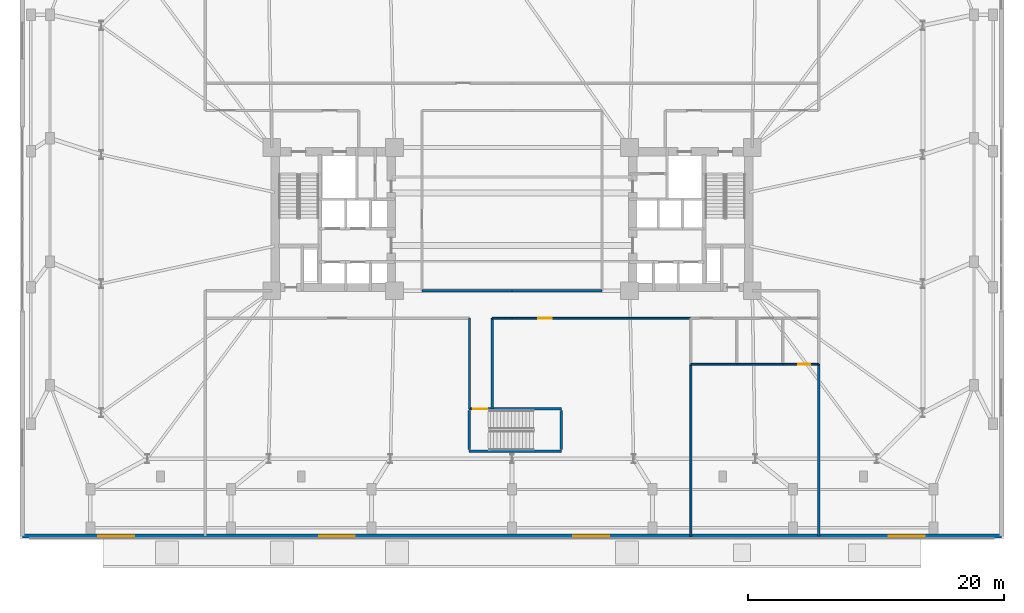
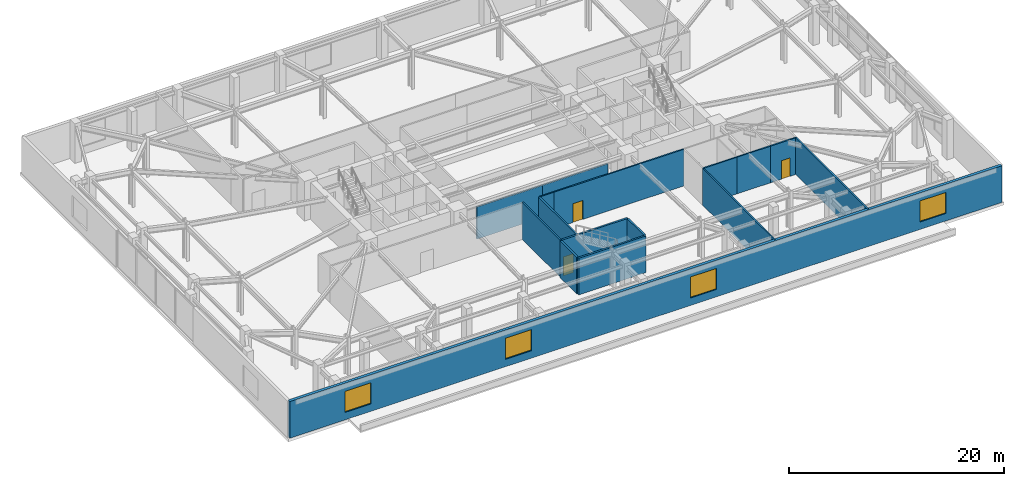
# One storey, part 15 of 21: 16 walls, 4 windows, 3 doors, 7 openings.
"""IFC4 building model written with IfcOpenShell, lengths in metres."""

import ifcopenshell
import ifcopenshell.guid

model = None  # the IFC model being written
_history = None  # IfcOwnerHistory: only IFC2X3 demands one
_inside = {}  # id of a spatial element -> (the spatial element, [elements in it])
_under = {}  # id of a project, library or spatial element -> (it, [spatial elements below it])
_declared = {}  # id of a project -> (the project, [libraries it declares])
_typed = {}  # id of a type object -> (the type object, [elements of that type])
_made_of = {}  # id of a material, layer set ... -> (it, [elements and type objects made of it])


def new_model(schema):
    """Start an empty IFC model of exactly this schema.

    Asked for "IFC4X3", IfcOpenShell would pick the latest addendum, in which some entities
    have other attributes; the version numbers below select the first issue.
    IFC2X3 requires an IfcOwnerHistory on every rooted entity: one is made here for all.
    """
    global model, _history
    if schema == "IFC4X3":
        model = ifcopenshell.file(schema_version=(4, 3, 0, 0))
    else:
        model = ifcopenshell.file(schema=schema)
    _inside.clear()
    _under.clear()
    _declared.clear()
    _typed.clear()
    _made_of.clear()
    _history = None
    if model.schema == "IFC2X3":
        org = make("IfcOrganization", Name="unknown")
        user = make(
            "IfcPersonAndOrganization",
            ThePerson=make("IfcPerson", FamilyName="unknown"),
            TheOrganization=org,
        )
        app = make(
            "IfcApplication",
            ApplicationDeveloper=org,
            Version="unknown",
            ApplicationFullName="unknown",
            ApplicationIdentifier="unknown",
        )
        _history = make(
            "IfcOwnerHistory",
            OwningUser=user,
            OwningApplication=app,
            ChangeAction="ADDED",
            CreationDate=0,
        )
    return model


def make(cls, **values):
    """One entity of the class cls with the attributes given. An attribute that is None is left unset."""
    return model.create_entity(
        cls, **{name: value for name, value in values.items() if value is not None}
    )


def rooted(cls, **values):
    """An entity with a GlobalId (a new one), such as an element, a storey or a relation."""
    return make(cls, GlobalId=ifcopenshell.guid.new(), OwnerHistory=_history, **values)


def si_unit(unit_type, name, prefix=None):
    """IfcSIUnit, for example si_unit("LENGTHUNIT", "METRE", prefix="MILLI")."""
    return make("IfcSIUnit", UnitType=unit_type, Prefix=prefix, Name=name)


def assignment(units):
    """IfcUnitAssignment: the units of a project."""
    return None if units is None else make("IfcUnitAssignment", Units=units)


def point(xyz):
    """IfcCartesianPoint."""
    return None if xyz is None else make("IfcCartesianPoint", Coordinates=xyz)


def direction(xyz):
    """IfcDirection."""
    return None if xyz is None else make("IfcDirection", DirectionRatios=xyz)


def frame(location, z_axis=None, x_axis=None):
    """IfcAxis2Placement3D, a coordinate frame: its origin and axes. An axis left out is left unset."""
    return make(
        "IfcAxis2Placement3D",
        Location=point(location),
        Axis=direction(z_axis),
        RefDirection=direction(x_axis),
    )


def frame_2d(location, x_axis=None):
    """IfcAxis2Placement2D, a coordinate frame in the plane: its origin and x axis."""
    return make(
        "IfcAxis2Placement2D", Location=point(location), RefDirection=direction(x_axis)
    )


def origin():
    """The frame at (0, 0, 0) with its axes left unset."""
    return frame((0.0, 0.0, 0.0))


def place(relative_to, where):
    """IfcLocalPlacement: puts the frame where relative to a parent placement (None: the world)."""
    return make(
        "IfcLocalPlacement", PlacementRelTo=relative_to, RelativePlacement=where
    )


def context(
    kind, dimensions, precision=None, world=None, true_north=None, identifier=None
):
    """IfcGeometricRepresentationContext, for example the 3D "Model" context."""
    return make(
        "IfcGeometricRepresentationContext",
        ContextIdentifier=identifier,
        ContextType=kind,
        CoordinateSpaceDimension=dimensions,
        Precision=precision,
        WorldCoordinateSystem=world,
        TrueNorth=true_north,
    )


def subcontext(parent, identifier, kind, view, scale=None):
    """IfcGeometricRepresentationSubContext, for example "Body" below "Model"."""
    return make(
        "IfcGeometricRepresentationSubContext",
        ContextIdentifier=identifier,
        ContextType=kind,
        ParentContext=parent,
        TargetScale=scale,
        TargetView=view,
    )


def project(units=None, contexts=None):
    """IfcProject with its units and contexts."""
    return rooted(
        "IfcProject",
        Name="project",
        RepresentationContexts=contexts,
        UnitsInContext=assignment(units),
    )


def spatial(cls, under=None, at=None, **own):
    """A site, building, storey or space (cls), placed at a placement, below another one or the project."""
    s = rooted(cls, ObjectPlacement=at, **own)
    if under is not None:
        _under.setdefault(under.id(), (under, []))[1].append(s)
    return s


def profile(cls, at=None, kind="AREA", **sizes):
    """A parametric profile (cls). Its sizes go by their IFC names, for example OverallWidth=200.0."""
    return make(cls, ProfileType=kind, Position=at, **sizes)


def rectangle(**sizes):
    """IfcRectangleProfileDef."""
    return profile("IfcRectangleProfileDef", **sizes)


def extrude(swept, where, along, depth):
    """IfcExtrudedAreaSolid: the profile swept, set in the frame where, extruded along a direction by depth."""
    return make(
        "IfcExtrudedAreaSolid",
        SweptArea=swept,
        Position=where,
        ExtrudedDirection=direction(along),
        Depth=depth,
    )


def shape(context_of_items, identifier, shape_type, items):
    """IfcShapeRepresentation: the items that make up one representation, for example the "Body"."""
    return make(
        "IfcShapeRepresentation",
        ContextOfItems=context_of_items,
        RepresentationIdentifier=identifier,
        RepresentationType=shape_type,
        Items=items,
    )


def material(Name=None, Category=None):
    """IfcMaterial."""
    return make("IfcMaterial", Name=Name, Category=Category)


def layer(
    of_material, thickness, ventilated=None, Name=None, Category=None, Priority=None
):
    """IfcMaterialLayer: one layer of a wall or slab, of a material (None: an air gap)."""
    return make(
        "IfcMaterialLayer",
        Material=of_material,
        LayerThickness=thickness,
        IsVentilated=ventilated,
        Name=Name,
        Category=Category,
        Priority=Priority,
    )


def layer_set(layers, Name=None):
    """IfcMaterialLayerSet."""
    return make("IfcMaterialLayerSet", MaterialLayers=layers, LayerSetName=Name)


def made_of(thing, what):
    """Note that an element or type object is made of a material, layer set ...; save() writes the relation."""
    if what is not None:
        _made_of.setdefault(what.id(), (what, []))[1].append(thing)
    return thing


def type_object(cls, material=None, **own):
    """A type object (cls), such as IfcWallType, which elements share."""
    return made_of(rooted(cls, **own), material)


def element(
    cls,
    number,
    at=None,
    inside=None,
    cuts=None,
    type_object=None,
    material=None,
    context=None,
    identifier="Body",
    shape_type=None,
    held_by="IfcProductDefinitionShape",
    body=None,
    shapes=None,
    **own,
):
    """One element of the class cls, such as IfcWall. Its Tag is "e" and its number.

    at: its placement. inside: the storey or other place that contains it. cuts: it is an
    opening in that element (IfcRelVoidsElement). A single representation is given by context,
    identifier, shape_type and body (its items); several are given by shapes. held_by: the class
    of the entity that holds the representations. save() writes the other relations.
    """
    e = rooted(cls, Tag="e%d" % number, ObjectPlacement=at, **own)
    if body is not None:
        shapes = [shape(context, identifier, shape_type, body)]
    if shapes is not None:
        e.Representation = make(held_by, Representations=shapes)
    if inside is not None:
        _inside.setdefault(inside.id(), (inside, []))[1].append(e)
    if cuts is not None:
        rooted(
            "IfcRelVoidsElement", RelatingBuildingElement=cuts, RelatedOpeningElement=e
        )
    if type_object is not None:
        _typed.setdefault(type_object.id(), (type_object, []))[1].append(e)
    return made_of(e, material)


def fill(opening, filler):
    """IfcRelFillsElement: the door or window that sits in an opening."""
    return rooted(
        "IfcRelFillsElement",
        RelatingOpeningElement=opening,
        RelatedBuildingElement=filler,
    )


def aggregate(whole, parts):
    """IfcRelAggregates: a whole, such as a stair, and the parts it consists of."""
    return rooted("IfcRelAggregates", RelatingObject=whole, RelatedObjects=parts)


def save(model, path):
    """Write the relations noted so far, then the file.

    IfcRelAggregates (storeys below a building ...), IfcRelContainedInSpatialStructure (elements
    in a storey), IfcRelDefinesByType, IfcRelAssociatesMaterial and IfcRelDeclares: one each for
    every whole, place, type object, material and project.
    """
    for whole, parts in _under.values():
        aggregate(whole, parts)
    for where, things in _inside.values():
        rooted(
            "IfcRelContainedInSpatialStructure",
            RelatedElements=things,
            RelatingStructure=where,
        )
    for kind, things in _typed.values():
        rooted("IfcRelDefinesByType", RelatedObjects=things, RelatingType=kind)
    for what, things in _made_of.values():
        rooted("IfcRelAssociatesMaterial", RelatedObjects=things, RelatingMaterial=what)
    for by, libraries in _declared.values():
        rooted("IfcRelDeclares", RelatingContext=by, RelatedDefinitions=libraries)
    model.write(path)


model = new_model("IFC4")

# Units and contexts
model_context = context("Model", 3, precision=1e-05, world=origin(), true_north=direction((0.0, 1.0)))
body_context = subcontext(model_context, "Body", "Model", "MODEL_VIEW")
ifc_project = project(units=[si_unit("LENGTHUNIT", "METRE"), si_unit("AREAUNIT", "SQUARE_METRE"), si_unit("VOLUMEUNIT", "CUBIC_METRE"), si_unit("PLANEANGLEUNIT", "RADIAN"), si_unit("MASSUNIT", "GRAM", prefix="KILO")], contexts=[model_context])

# Site, building, storey
site_placement = place(None, origin())
site = spatial("IfcSite", under=ifc_project, at=site_placement, CompositionType="ELEMENT")
building_placement = place(site_placement, origin())
building = spatial("IfcBuilding", under=site, at=building_placement, Name="Qobustan Lattice House", CompositionType="ELEMENT")
storey_placement = place(building_placement, frame((0.0, 0.0, 4.5)))
storey = spatial("IfcBuildingStorey", under=building, at=storey_placement, Name="L01", CompositionType="ELEMENT", Elevation=4.5)

# Wall, openings, windows
ifc_material_1 = material(Name="Precast concrete C40/50", Category="concrete")
ifc_layer_1 = layer(ifc_material_1, 0.320068359375)
ifc_layer_set_1 = layer_set([ifc_layer_1], Name="Precast concrete C40/50")
wall_type_1 = type_object("IfcWallType", Name="WAL-EXT-STONE-320", PredefinedType="SOLIDWALL", material=ifc_layer_set_1)
wall_1_placement = place(storey_placement, frame((38.300048828125, -24.800048828125, 0.0), z_axis=(0.0, 0.0, 1.0), x_axis=(-1.0, 0.0, 0.0)))
wall_1 = element("IfcWall", 1, at=wall_1_placement, inside=storey, type_object=wall_type_1, Name="L01 exterior limestone-clad wall 4", PredefinedType="SOLIDWALL", context=body_context, shape_type="SweptSolid", body=[
    extrude(rectangle(XDim=76.60009765625, YDim=0.320068359375, at=frame_2d((38.300048828125, 0.0))), origin(), (0.0, 0.0, 1.0), 4.169921875),
])
opening_1_placement = place(wall_1_placement, frame((6.00390625, 0.0, 0.85009765625)))
opening_1 = element("IfcOpeningElement", 2, at=opening_1_placement, cuts=wall_1, Name="Opening WN-17", PredefinedType="OPENING", context=body_context, shape_type="SweptSolid", body=[
    extrude(rectangle(XDim=2.800048828125, YDim=2.39990234375, at=frame_2d((1.39990234375, 1.199951171875))), frame((0.0, 0.169921875, 0.0), z_axis=(0.0, -1.0, 0.0), x_axis=(1.0, 0.0, 0.0)), (0.0, 0.0, 1.0), 0.340087890625),
])
opening_2_placement = place(wall_1_placement, frame((30.69677734375, 0.0, 0.85009765625)))
opening_2 = element("IfcOpeningElement", 3, at=opening_2_placement, cuts=wall_1, Name="Opening WN-17", PredefinedType="OPENING", context=body_context, shape_type="SweptSolid", body=[
    extrude(rectangle(XDim=2.800048828125, YDim=2.39990234375, at=frame_2d((1.39990234375, 1.199951171875))), frame((0.0, 0.169921875, 0.0), z_axis=(0.0, -1.0, 0.0), x_axis=(1.0, 0.0, 0.0)), (0.0, 0.0, 1.0), 0.340087890625),
])
opening_3_placement = place(wall_1_placement, frame((50.587158203125, 0.0, 0.85009765625)))
opening_3 = element("IfcOpeningElement", 4, at=opening_3_placement, cuts=wall_1, Name="Opening WN-17", PredefinedType="OPENING", context=body_context, shape_type="SweptSolid", body=[
    extrude(rectangle(XDim=2.800048828125, YDim=2.39990234375, at=frame_2d((1.39990234375, 1.199951171875))), frame((0.0, 0.169921875, 0.0), z_axis=(0.0, -1.0, 0.0), x_axis=(1.0, 0.0, 0.0)), (0.0, 0.0, 1.0), 0.340087890625),
])
opening_4_placement = place(wall_1_placement, frame((67.876220703125, 0.0, 0.85009765625)))
opening_4 = element("IfcOpeningElement", 5, at=opening_4_placement, cuts=wall_1, Name="Opening WN-17", PredefinedType="OPENING", context=body_context, shape_type="SweptSolid", body=[
    extrude(rectangle(XDim=2.800048828125, YDim=2.39990234375, at=frame_2d((1.39990234375, 1.199951171875))), frame((0.0, 0.169921875, 0.0), z_axis=(0.0, -1.0, 0.0), x_axis=(1.0, 0.0, 0.0)), (0.0, 0.0, 1.0), 0.340087890625),
])
ifc_material_2 = material(Name="Double-glazed low-E aluminium window", Category="aluminium")
window_type = type_object("IfcWindowType", Name="WIN-POD-2800x2400", PartitioningType="SINGLE_PANEL", PredefinedType="WINDOW", material=ifc_material_2)
window_1_placement = place(opening_1_placement, origin())
window_1 = element("IfcWindow", 6, at=window_1_placement, inside=storey, type_object=window_type, Name="L01 Quiet reading hall window", OverallHeight=2.39990234375, OverallWidth=2.800048828125, PartitioningType="SINGLE_PANEL", PredefinedType="WINDOW", context=body_context, shape_type="SweptSolid", body=[
    extrude(rectangle(XDim=2.800048828125, YDim=2.39990234375, at=frame_2d((1.39990234375, 1.199951171875))), frame((0.0, 0.030029296875, 0.0), z_axis=(0.0, -1.0, 0.0), x_axis=(1.0, 0.0, 0.0)), (0.0, 0.0, 1.0), 0.06005859375),
])
fill(opening_1, window_1)
window_2_placement = place(opening_2_placement, origin())
window_2 = element("IfcWindow", 7, at=window_2_placement, inside=storey, type_object=window_type, Name="L01 Group seminar room B window", OverallHeight=2.39990234375, OverallWidth=2.800048828125, PartitioningType="SINGLE_PANEL", PredefinedType="WINDOW", context=body_context, shape_type="SweptSolid", body=[
    extrude(rectangle(XDim=2.800048828125, YDim=2.39990234375, at=frame_2d((1.39990234375, 1.199951171875))), frame((0.0, 0.030029296875, 0.0), z_axis=(0.0, -1.0, 0.0), x_axis=(1.0, 0.0, 0.0)), (0.0, 0.0, 1.0), 0.06005859375),
])
fill(opening_2, window_2)
window_3_placement = place(opening_3_placement, origin())
window_3 = element("IfcWindow", 8, at=window_3_placement, inside=storey, type_object=window_type, Name="L01 Group seminar hall A window", OverallHeight=2.39990234375, OverallWidth=2.800048828125, PartitioningType="SINGLE_PANEL", PredefinedType="WINDOW", context=body_context, shape_type="SweptSolid", body=[
    extrude(rectangle(XDim=2.800048828125, YDim=2.39990234375, at=frame_2d((1.39990234375, 1.199951171875))), frame((0.0, 0.030029296875, 0.0), z_axis=(0.0, -1.0, 0.0), x_axis=(1.0, 0.0, 0.0)), (0.0, 0.0, 1.0), 0.06005859375),
])
fill(opening_3, window_3)
window_4_placement = place(opening_4_placement, origin())
window_4 = element("IfcWindow", 9, at=window_4_placement, inside=storey, type_object=window_type, Name="L01 Academic reference library window", OverallHeight=2.39990234375, OverallWidth=2.800048828125, PartitioningType="SINGLE_PANEL", PredefinedType="WINDOW", context=body_context, shape_type="SweptSolid", body=[
    extrude(rectangle(XDim=2.800048828125, YDim=2.39990234375, at=frame_2d((1.39990234375, 1.199951171875))), frame((0.0, 0.030029296875, 0.0), z_axis=(0.0, -1.0, 0.0), x_axis=(1.0, 0.0, 0.0)), (0.0, 0.0, 1.0), 0.06005859375),
])
fill(opening_4, window_4)

# Walls
ifc_material_3 = material(Name="Gypsum fireboard acoustic partition", Category="gypsum")
ifc_layer_2 = layer(ifc_material_3, 0.179931640625)
ifc_layer_set_2 = layer_set([ifc_layer_2], Name="Gypsum fireboard acoustic partition")
wall_type_2 = type_object("IfcWallType", Name="WAL-FIRE-180", PredefinedType="PARTITIONING", material=ifc_layer_set_2)
for number, where, z_axis, x_axis, name in (
    (10, (-3.320068359375, -14.860107421875, 0.0), (0.0, 0.0, 1.0), (0.0, 1.0, 0.0), "L01 interior partition 60"),
    (11, (-1.550048828125, -7.75, 0.0), (0.0, 0.0, 1.0), (0.0, -1.0, 0.0), "L01 interior partition 61"),
):
    element("IfcWall", number, at=place(storey_placement, frame(where, z_axis=z_axis, x_axis=x_axis)), inside=storey, type_object=wall_type_2, Name=name, PredefinedType="PARTITIONING", context=body_context, shape_type="SweptSolid", body=[
        extrude(rectangle(XDim=7.110107421875, YDim=0.179931640625, at=frame_2d((3.55517578125, 0.0))), origin(), (0.0, 0.0, 1.0), 4.169921875),
    ])
ifc_material_4 = material(Name="Acoustic twin-stud gypsum partition", Category="gypsum")
ifc_layer_3 = layer(ifc_material_4, 0.14990234375)
ifc_layer_set_3 = layer_set([ifc_layer_3], Name="Acoustic twin-stud gypsum partition")
wall_type_3 = type_object("IfcWallType", Name="WAL-PART-150", PredefinedType="PARTITIONING", material=ifc_layer_set_3)
wall_2_placement = place(storey_placement, frame((0.0, -7.75, 0.0), z_axis=(0.0, 0.0, 1.0), x_axis=(-1.0, 0.0, 0.0)))
element("IfcWall", 12, at=wall_2_placement, inside=storey, type_object=wall_type_3, Name="L01 interior partition 49", PredefinedType="PARTITIONING", context=body_context, shape_type="SweptSolid", body=[
    extrude(rectangle(XDim=1.550048828125, YDim=0.14990234375, at=frame_2d((0.77490234375, 0.0))), origin(), (0.0, 0.0, 1.0), 4.169921875),
])

# Wall, opening, door
wall_3_placement = place(storey_placement, frame((14.0, -7.75, 0.0), z_axis=(0.0, 0.0, 1.0), x_axis=(-1.0, 0.0, 0.0)))
wall_3 = element("IfcWall", 13, at=wall_3_placement, inside=storey, type_object=wall_type_3, Name="L01 interior partition 51", PredefinedType="PARTITIONING", context=body_context, shape_type="SweptSolid", body=[
    extrude(rectangle(XDim=14.0, YDim=0.14990234375, at=frame_2d((7.0, 0.0))), origin(), (0.0, 0.0, 1.0), 4.169921875),
])
opening_5_placement = place(wall_3_placement, frame((10.896240234375, 0.0, 0.0)))
opening_5 = element("IfcOpeningElement", 14, at=opening_5_placement, cuts=wall_3, Name="Opening ID-02", PredefinedType="OPENING", context=body_context, shape_type="SweptSolid", body=[
    extrude(rectangle(XDim=1.050048828125, YDim=2.14990234375, at=frame_2d((0.52490234375, 1.074951171875))), frame((0.0, 0.0849609375, 0.0), z_axis=(0.0, -1.0, 0.0), x_axis=(1.0, 0.0, 0.0)), (0.0, 0.0, 1.0), 0.169921875),
])
ifc_material_5 = material(Name="Persian walnut timber and steel frame door", Category="steel")
door_type_1 = type_object("IfcDoorType", Name="DOR-STUDY-1050x2150", OperationType="NOTDEFINED", PredefinedType="DOOR", material=ifc_material_5)
door_1_placement = place(opening_5_placement, origin())
door_1 = element("IfcDoor", 15, at=door_1_placement, inside=storey, type_object=door_type_1, Name="L01 South-east podium corridor to Group seminar room B door", OperationType="SINGLE_SWING_RIGHT", OverallHeight=2.14990234375, OverallWidth=1.050048828125, PredefinedType="DOOR", context=body_context, shape_type="SweptSolid", body=[
    extrude(rectangle(XDim=1.050048828125, YDim=2.14990234375, at=frame_2d((0.52490234375, 1.074951171875))), frame((0.0, 0.02490234375, 0.0), z_axis=(0.0, -1.0, 0.0), x_axis=(1.0, 0.0, 0.0)), (0.0, 0.0, 1.0), 0.050048828125),
])
fill(opening_5, door_1)

# Wall
wall_4_placement = place(storey_placement, frame((14.0, -11.35009765625, 0.0), z_axis=(0.0, 0.0, 1.0), x_axis=(0.0, -1.0, 0.0)))
element("IfcWall", 16, at=wall_4_placement, inside=storey, type_object=wall_type_3, Name="L01 interior partition 66", PredefinedType="PARTITIONING", context=body_context, shape_type="SweptSolid", body=[
    extrude(rectangle(XDim=13.449951171875, YDim=0.14990234375, at=frame_2d((6.72509765625, 0.0))), origin(), (0.0, 0.0, 1.0), 4.169921875),
])

# Wall, opening, door
wall_5_placement = place(storey_placement, frame((24.0, -11.35009765625, 0.0), z_axis=(0.0, 0.0, 1.0), x_axis=(-1.0, 0.0, 0.0)))
wall_5 = element("IfcWall", 17, at=wall_5_placement, inside=storey, type_object=wall_type_3, Name="L01 interior partition 71", PredefinedType="PARTITIONING", context=body_context, shape_type="SweptSolid", body=[
    extrude(rectangle(XDim=2.800048828125, YDim=0.14990234375, at=frame_2d((1.39990234375, 0.0))), origin(), (0.0, 0.0, 1.0), 4.169921875),
])
opening_6_placement = place(wall_5_placement, frame((0.666259765625, 0.0, 0.0)))
opening_6 = element("IfcOpeningElement", 18, at=opening_6_placement, cuts=wall_5, Name="Opening ID-01", PredefinedType="OPENING", context=body_context, shape_type="SweptSolid", body=[
    extrude(rectangle(XDim=0.949951171875, YDim=2.10009765625, at=frame_2d((0.47509765625, 1.050048828125))), frame((0.0, 0.0849609375, 0.0), z_axis=(0.0, -1.0, 0.0), x_axis=(1.0, 0.0, 0.0)), (0.0, 0.0, 1.0), 0.169921875),
])
ifc_material_6 = material(Name="Persian walnut timber and steel frame door", Category="steel")
door_type_2 = type_object("IfcDoorType", Name="DOR-ROOM-950x2100", OperationType="NOTDEFINED", PredefinedType="DOOR", material=ifc_material_6)
door_2_placement = place(opening_6_placement, origin())
door_2 = element("IfcDoor", 19, at=door_2_placement, inside=storey, type_object=door_type_2, Name="L01 Janitor supply store to Equipment and archive store door", OperationType="SINGLE_SWING_LEFT", OverallHeight=2.10009765625, OverallWidth=0.949951171875, PredefinedType="DOOR", context=body_context, shape_type="SweptSolid", body=[
    extrude(rectangle(XDim=0.949951171875, YDim=2.10009765625, at=frame_2d((0.47509765625, 1.050048828125))), frame((0.0, 0.02490234375, 0.0), z_axis=(0.0, -1.0, 0.0), x_axis=(1.0, 0.0, 0.0)), (0.0, 0.0, 1.0), 0.050048828125),
])
fill(opening_6, door_2)

# Walls
ifc_material_7 = material(Name="High-mass acoustic twin-stud partition", Category="gypsum")
ifc_layer_4 = layer(ifc_material_7, 0.1650390625)
ifc_layer_set_4 = layer_set([ifc_layer_4], Name="High-mass acoustic twin-stud partition")
wall_type_4 = type_object("IfcWallType", Name="WAL-PART-165", PredefinedType="PARTITIONING", material=ifc_layer_set_4)
for number, where, z_axis, x_axis, name in (
    (20, (-7.050048828125, -5.60009765625, 0.0), (0.0, 0.0, 1.0), (1.0, 0.0, 0.0), "L01 interior partition 50"),
    (21, (0.0, -5.60009765625, 0.0), (0.0, 0.0, 1.0), (1.0, 0.0, 0.0), "L01 interior partition 55"),
):
    element("IfcWall", number, at=place(storey_placement, frame(where, z_axis=z_axis, x_axis=x_axis)), inside=storey, type_object=wall_type_4, Name=name, PredefinedType="PARTITIONING", context=body_context, shape_type="SweptSolid", body=[
        extrude(rectangle(XDim=7.050048828125, YDim=0.1650390625, at=frame_2d((3.52490234375, 0.0))), origin(), (0.0, 0.0, 1.0), 3.655029296875),
    ])
wall_6_placement = place(storey_placement, frame((24.0, -11.35009765625, 0.0), z_axis=(0.0, 0.0, 1.0), x_axis=(0.0, -1.0, 0.0)))
element("IfcWall", 22, at=wall_6_placement, inside=storey, type_object=wall_type_4, Name="L01 interior partition 73", PredefinedType="PARTITIONING", context=body_context, shape_type="SweptSolid", body=[
    extrude(rectangle(XDim=13.449951171875, YDim=0.1650390625, at=frame_2d((6.72509765625, 0.0))), origin(), (0.0, 0.0, 1.0), 4.169921875),
])

# Wall, opening, door
ifc_material_8 = material(Name="Concrete C40/50", Category="concrete")
ifc_layer_5 = layer(ifc_material_8, 0.199951171875)
ifc_layer_set_5 = layer_set([ifc_layer_5], Name="Concrete C40/50")
wall_type_5 = type_object("IfcWallType", Name="WAL-SHAFT-LB-200", PredefinedType="SHEAR", material=ifc_layer_set_5)
wall_7_placement = place(storey_placement, frame((-3.360107421875, -14.840087890625, 0.0), z_axis=(0.0, 0.0, 1.0), x_axis=(1.0, 0.0, 0.0)))
wall_7 = element("IfcWall", 23, at=wall_7_placement, inside=storey, type_object=wall_type_5, Name="L01 podium stair ST-P1 RC shaft wall STP-N", PredefinedType="SHEAR", context=body_context, shape_type="SweptSolid", body=[
    extrude(rectangle(XDim=7.22021484375, YDim=0.199951171875, at=frame_2d((3.610107421875, 0.0))), origin(), (0.0, 0.0, 1.0), 4.169921875),
])
opening_7_placement = place(wall_7_placement, frame((0.31005859375, 0.0, 0.0)))
opening_7 = element("IfcOpeningElement", 24, at=opening_7_placement, cuts=wall_7, Name="Opening SD-01", PredefinedType="OPENING", context=body_context, shape_type="SweptSolid", body=[
    extrude(rectangle(XDim=1.10009765625, YDim=2.14990234375, at=frame_2d((0.550048828125, 1.074951171875))), frame((0.0, 0.10986328125, 0.0), z_axis=(0.0, -1.0, 0.0), x_axis=(1.0, 0.0, 0.0)), (0.0, 0.0, 1.0), 0.219970703125),
])
ifc_material_9 = material(Name="Persian walnut timber and steel frame door", Category="steel")
door_type_3 = type_object("IfcDoorType", Name="DOR-STAIR-FD-1100x2150", OperationType="NOTDEFINED", PredefinedType="DOOR", material=ifc_material_9)
door_3_placement = place(opening_7_placement, origin())
door_3 = element("IfcDoor", 25, at=door_3_placement, inside=storey, type_object=door_type_3, Name="L01 podium stair ST-P1 fire door", OperationType="SINGLE_SWING_LEFT", OverallHeight=2.14990234375, OverallWidth=1.10009765625, PredefinedType="DOOR", context=body_context, shape_type="SweptSolid", body=[
    extrude(rectangle(XDim=1.10009765625, YDim=2.14990234375, at=frame_2d((0.550048828125, 1.074951171875))), frame((0.0, 0.02490234375, 0.0), z_axis=(0.0, -1.0, 0.0), x_axis=(1.0, 0.0, 0.0)), (0.0, 0.0, 1.0), 0.050048828125),
])
fill(opening_7, door_3)

# Walls
wall_8_placement = place(storey_placement, frame((-3.360107421875, -18.159912109375, 0.0), z_axis=(0.0, 0.0, 1.0), x_axis=(1.0, 0.0, 0.0)))
element("IfcWall", 26, at=wall_8_placement, inside=storey, type_object=wall_type_5, Name="L01 podium stair ST-P1 RC shaft wall STP-S", PredefinedType="SHEAR", context=body_context, shape_type="SweptSolid", body=[
    extrude(rectangle(XDim=7.22021484375, YDim=0.199951171875, at=frame_2d((3.610107421875, 0.0))), origin(), (0.0, 0.0, 1.0), 4.169921875),
])
for number, where, z_axis, x_axis, name in (
    (27, (-3.360107421875, -18.0400390625, 0.0), (0.0, 0.0, 1.0), (0.0, 1.0, 0.0), "L01 podium stair ST-P1 RC shaft wall STP-W"),
    (28, (3.860107421875, -18.0400390625, 0.0), (0.0, 0.0, 1.0), (0.0, 1.0, 0.0), "L01 podium stair ST-P1 RC shaft wall STP-E"),
):
    element("IfcWall", number, at=place(storey_placement, frame(where, z_axis=z_axis, x_axis=x_axis)), inside=storey, type_object=wall_type_5, Name=name, PredefinedType="SHEAR", context=body_context, shape_type="SweptSolid", body=[
        extrude(rectangle(XDim=3.080078125, YDim=0.199951171875, at=frame_2d((1.5400390625, 0.0))), origin(), (0.0, 0.0, 1.0), 4.169921875),
    ])
ifc_material_10 = material(Name="Moisture-resistant acoustic plumbing wall", Category="gypsum")
ifc_layer_6 = layer(ifc_material_10, 0.14990234375)
ifc_layer_set_6 = layer_set([ifc_layer_6], Name="Moisture-resistant acoustic plumbing wall")
wall_type_6 = type_object("IfcWallType", Name="WAL-WET-150", PredefinedType="PLUMBINGWALL", material=ifc_layer_set_6)
wall_9_placement = place(storey_placement, frame((17.60009765625, -11.35009765625, 0.0), z_axis=(0.0, 0.0, 1.0), x_axis=(-1.0, 0.0, 0.0)))
element("IfcWall", 29, at=wall_9_placement, inside=storey, type_object=wall_type_6, Name="L01 interior partition 68", PredefinedType="PLUMBINGWALL", context=body_context, shape_type="SweptSolid", body=[
    extrude(rectangle(XDim=3.60009765625, YDim=0.14990234375, at=frame_2d((1.800048828125, 0.0))), origin(), (0.0, 0.0, 1.0), 4.169921875),
])
wall_10_placement = place(storey_placement, frame((21.199951171875, -11.35009765625, 0.0), z_axis=(0.0, 0.0, 1.0), x_axis=(-1.0, 0.0, 0.0)))
element("IfcWall", 30, at=wall_10_placement, inside=storey, type_object=wall_type_6, Name="L01 interior partition 70", PredefinedType="PLUMBINGWALL", context=body_context, shape_type="SweptSolid", body=[
    extrude(rectangle(XDim=3.599853515625, YDim=0.14990234375, at=frame_2d((1.7998046875, 0.0))), origin(), (0.0, 0.0, 1.0), 4.169921875),
])

save(model, "model.ifc")
